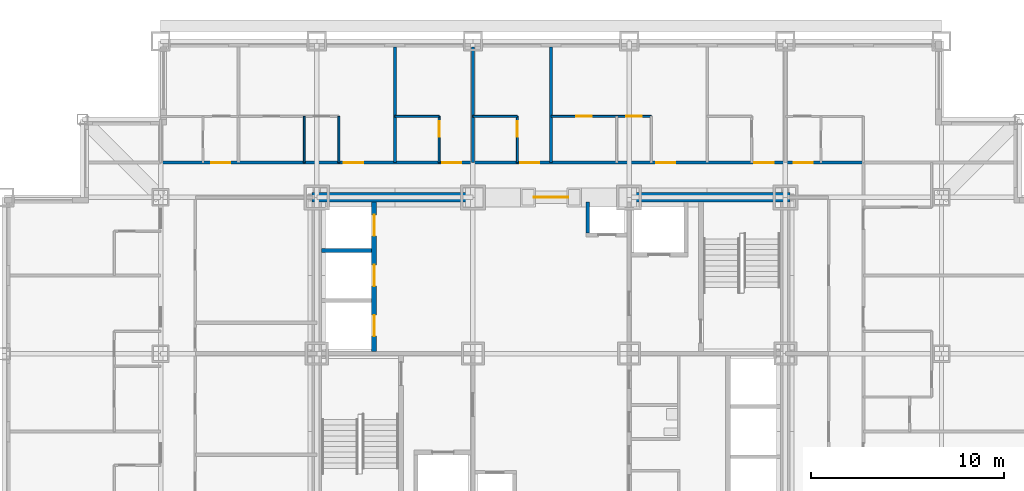
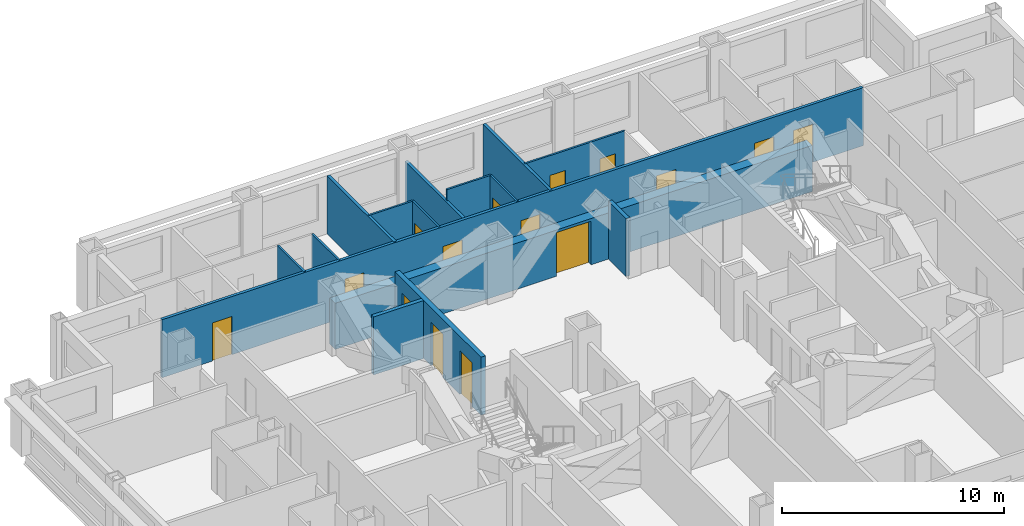
# One storey, part 9 of 13: 15 doors, 15 walls, 15 openings.
"""IFC4 building model written with IfcOpenShell, lengths in metres."""

from ifc_helpers import new_model, si_unit, direction, frame, frame_2d, origin, place, context, subcontext, project, spatial, rectangle, extrude, material, layer, layer_set, type_object, element, fill, save


model = new_model("IFC4")

# Units and contexts
model_context = context("Model", 3, precision=1e-05, world=origin(), true_north=direction((0.0, 1.0)))
body_context = subcontext(model_context, "Body", "Model", "MODEL_VIEW")
ifc_project = project(units=[si_unit("LENGTHUNIT", "METRE"), si_unit("AREAUNIT", "SQUARE_METRE"), si_unit("VOLUMEUNIT", "CUBIC_METRE"), si_unit("PLANEANGLEUNIT", "RADIAN"), si_unit("MASSUNIT", "GRAM", prefix="KILO")], contexts=[model_context])

# Site, building, storey
site_placement = place(None, origin())
site = spatial("IfcSite", under=ifc_project, at=site_placement, CompositionType="ELEMENT")
building_placement = place(site_placement, origin())
building = spatial("IfcBuilding", under=site, at=building_placement, Name="Kopane Lantern Tower", CompositionType="ELEMENT")
storey_placement = place(building_placement, frame((0.0, 0.0, 67.0)))
storey = spatial("IfcBuildingStorey", under=building, at=storey_placement, Name="L16", CompositionType="ELEMENT", Elevation=67.0)

# Walls
ifc_material_1 = material(Name="Moisture-resistant board on steel studs", Category="steel")
ifc_layer_1 = layer(ifc_material_1, 0.10009765625)
ifc_layer_set_1 = layer_set([ifc_layer_1], Name="BATHROOM WALL 100")
wall_type_1 = type_object("IfcWallType", Name="BATHROOM WALL 100", PredefinedType="PARTITIONING", material=ifc_layer_set_1)
for number, where, z_axis, x_axis, name in (
    (1, (15.550048828125, 42.300048828125, 0.0), (0.0, 0.0, 1.0), (0.0, 1.0, 0.0), "Bathroom Wall 100 L16"),
    (2, (17.35009765625, 42.300048828125, 0.0), (0.0, 0.0, 1.0), (0.0, 1.0, 0.0), "Bathroom Wall 100 L16"),
):
    element("IfcWall", number, at=place(storey_placement, frame(where, z_axis=z_axis, x_axis=x_axis)), inside=storey, type_object=wall_type_1, Name=name, PredefinedType="PARTITIONING", context=body_context, shape_type="SweptSolid", body=[
        extrude(rectangle(XDim=2.39990234375, YDim=0.10009765625, at=frame_2d((1.199951171875, 0.0))), origin(), (0.0, 0.0, 1.0), 3.18994140625),
    ])
wall_1_placement = place(storey_placement, frame((20.25, 44.699951171875, 0.0), z_axis=(0.0, 0.0, 1.0), x_axis=(1.0, 0.0, 0.0)))
element("IfcWall", 3, at=wall_1_placement, inside=storey, type_object=wall_type_1, Name="Bathroom Wall 100 L16", PredefinedType="PARTITIONING", context=body_context, shape_type="SweptSolid", body=[
    extrude(rectangle(XDim=2.300048828125, YDim=0.10009765625, at=frame_2d((1.14990234375, 0.0))), origin(), (0.0, 0.0, 1.0), 3.18994140625),
])

# Wall, opening, door
wall_2_placement = place(storey_placement, frame((22.550048828125, 42.300048828125, 0.0), z_axis=(0.0, 0.0, 1.0), x_axis=(0.0, 1.0, 0.0)))
wall_2 = element("IfcWall", 4, at=wall_2_placement, inside=storey, type_object=wall_type_1, Name="Bathroom Wall 100 L16", PredefinedType="PARTITIONING", context=body_context, shape_type="SweptSolid", body=[
    extrude(rectangle(XDim=2.39990234375, YDim=0.10009765625, at=frame_2d((1.199951171875, 0.0))), origin(), (0.0, 0.0, 1.0), 3.18994140625),
])
opening_1_placement = place(wall_2_placement, frame((1.35009765625, 0.0, 0.0)))
opening_1 = element("IfcOpeningElement", 5, at=opening_1_placement, cuts=wall_2, Name="Opening L16-032", PredefinedType="OPENING", context=body_context, shape_type="SweptSolid", body=[
    extrude(rectangle(XDim=0.800048828125, YDim=2.10009765625, at=frame_2d((0.39990234375, 1.050048828125))), frame((0.0, 0.06005859375, 0.0), z_axis=(0.0, -1.0, 0.0), x_axis=(1.0, 0.0, 0.0)), (0.0, 0.0, 1.0), 0.1201171875),
])
ifc_material_2 = material(Name="Timber door set", Category="wood")
door_type_1 = type_object("IfcDoorType", Name="DOOR D2 800x2100", OperationType="SINGLE_SWING_LEFT", PredefinedType="DOOR", material=ifc_material_2)
door_1_placement = place(opening_1_placement, origin())
door_1 = element("IfcDoor", 6, at=door_1_placement, inside=storey, type_object=door_type_1, Name="Door L16-032", OperationType="SINGLE_SWING_RIGHT", OverallHeight=2.10009765625, OverallWidth=0.800048828125, PredefinedType="DOOR", context=body_context, shape_type="SweptSolid", body=[
    extrude(rectangle(XDim=0.800048828125, YDim=2.10009765625, at=frame_2d((0.39990234375, 1.050048828125))), frame((0.0, 0.02490234375, 0.0), z_axis=(0.0, -1.0, 0.0), x_axis=(1.0, 0.0, 0.0)), (0.0, 0.0, 1.0), 0.050048828125),
])
fill(opening_1, door_1)

# Wall
wall_3_placement = place(storey_placement, frame((24.300048828125, 44.699951171875, 0.0), z_axis=(0.0, 0.0, 1.0), x_axis=(1.0, 0.0, 0.0)))
element("IfcWall", 7, at=wall_3_placement, inside=storey, type_object=wall_type_1, Name="Bathroom Wall 100 L16", PredefinedType="PARTITIONING", context=body_context, shape_type="SweptSolid", body=[
    extrude(rectangle(XDim=2.300048828125, YDim=0.10009765625, at=frame_2d((1.14990234375, 0.0))), origin(), (0.0, 0.0, 1.0), 3.18994140625),
])

# Wall, opening, door
wall_4_placement = place(storey_placement, frame((26.60009765625, 42.300048828125, 0.0), z_axis=(0.0, 0.0, 1.0), x_axis=(0.0, 1.0, 0.0)))
wall_4 = element("IfcWall", 8, at=wall_4_placement, inside=storey, type_object=wall_type_1, Name="Bathroom Wall 100 L16", PredefinedType="PARTITIONING", context=body_context, shape_type="SweptSolid", body=[
    extrude(rectangle(XDim=2.39990234375, YDim=0.10009765625, at=frame_2d((1.199951171875, 0.0))), origin(), (0.0, 0.0, 1.0), 3.18994140625),
])
opening_2_placement = place(wall_4_placement, frame((1.35009765625, 0.0, 0.0)))
opening_2 = element("IfcOpeningElement", 9, at=opening_2_placement, cuts=wall_4, Name="Opening L16-034", PredefinedType="OPENING", context=body_context, shape_type="SweptSolid", body=[
    extrude(rectangle(XDim=0.800048828125, YDim=2.10009765625, at=frame_2d((0.39990234375, 1.050048828125))), frame((0.0, 0.06005859375, 0.0), z_axis=(0.0, -1.0, 0.0), x_axis=(1.0, 0.0, 0.0)), (0.0, 0.0, 1.0), 0.1201171875),
])
door_2_placement = place(opening_2_placement, origin())
door_2 = element("IfcDoor", 10, at=door_2_placement, inside=storey, type_object=door_type_1, Name="Door L16-034", OperationType="SINGLE_SWING_RIGHT", OverallHeight=2.10009765625, OverallWidth=0.800048828125, PredefinedType="DOOR", context=body_context, shape_type="SweptSolid", body=[
    extrude(rectangle(XDim=0.800048828125, YDim=2.10009765625, at=frame_2d((0.39990234375, 1.050048828125))), frame((0.0, 0.02490234375, 0.0), z_axis=(0.0, -1.0, 0.0), x_axis=(1.0, 0.0, 0.0)), (0.0, 0.0, 1.0), 0.050048828125),
])
fill(opening_2, door_2)

# Wall, openings, doors
wall_5_placement = place(storey_placement, frame((28.35009765625, 44.699951171875, 0.0), z_axis=(0.0, 0.0, 1.0), x_axis=(1.0, 0.0, 0.0)))
wall_5 = element("IfcWall", 11, at=wall_5_placement, inside=storey, type_object=wall_type_1, Name="Bathroom Wall 100 L16", PredefinedType="PARTITIONING", context=body_context, shape_type="SweptSolid", body=[
    extrude(rectangle(XDim=5.199951171875, YDim=0.10009765625, at=frame_2d((2.60009765625, 0.0))), origin(), (0.0, 0.0, 1.0), 3.18994140625),
])
opening_3_placement = place(wall_5_placement, frame((1.300048828125, 0.0, 0.0)))
opening_3 = element("IfcOpeningElement", 12, at=opening_3_placement, cuts=wall_5, Name="Opening L16-036", PredefinedType="OPENING", context=body_context, shape_type="SweptSolid", body=[
    extrude(rectangle(XDim=0.800048828125, YDim=2.10009765625, at=frame_2d((0.39990234375, 1.050048828125))), frame((0.0, 0.06005859375, 0.0), z_axis=(0.0, -1.0, 0.0), x_axis=(1.0, 0.0, 0.0)), (0.0, 0.0, 1.0), 0.1201171875),
])
opening_4_placement = place(wall_5_placement, frame((3.89990234375, 0.0, 0.0)))
opening_4 = element("IfcOpeningElement", 13, at=opening_4_placement, cuts=wall_5, Name="Opening L16-037", PredefinedType="OPENING", context=body_context, shape_type="SweptSolid", body=[
    extrude(rectangle(XDim=0.800048828125, YDim=2.10009765625, at=frame_2d((0.39990234375, 1.050048828125))), frame((0.0, 0.06005859375, 0.0), z_axis=(0.0, -1.0, 0.0), x_axis=(1.0, 0.0, 0.0)), (0.0, 0.0, 1.0), 0.1201171875),
])
door_3_placement = place(opening_3_placement, origin())
door_3 = element("IfcDoor", 14, at=door_3_placement, inside=storey, type_object=door_type_1, Name="Door L16-036", OperationType="SINGLE_SWING_LEFT", OverallHeight=2.10009765625, OverallWidth=0.800048828125, PredefinedType="DOOR", context=body_context, shape_type="SweptSolid", body=[
    extrude(rectangle(XDim=0.800048828125, YDim=2.10009765625, at=frame_2d((0.39990234375, 1.050048828125))), frame((0.0, 0.02490234375, 0.0), z_axis=(0.0, -1.0, 0.0), x_axis=(1.0, 0.0, 0.0)), (0.0, 0.0, 1.0), 0.050048828125),
])
fill(opening_3, door_3)
door_4_placement = place(opening_4_placement, origin())
door_4 = element("IfcDoor", 15, at=door_4_placement, inside=storey, type_object=door_type_1, Name="Door L16-037", OperationType="SINGLE_SWING_LEFT", OverallHeight=2.10009765625, OverallWidth=0.800048828125, PredefinedType="DOOR", context=body_context, shape_type="SweptSolid", body=[
    extrude(rectangle(XDim=0.800048828125, YDim=2.10009765625, at=frame_2d((0.39990234375, 1.050048828125))), frame((0.0, 0.02490234375, 0.0), z_axis=(0.0, -1.0, 0.0), x_axis=(1.0, 0.0, 0.0)), (0.0, 0.0, 1.0), 0.050048828125),
])
fill(opening_4, door_4)

# Wall, opening, door
ifc_material_3 = material(Name="Gypsum shaft wall EI 120", Category="gypsum")
ifc_layer_2 = layer(ifc_material_3, 0.5)
ifc_layer_set_2 = layer_set([ifc_layer_2], Name="CORE PERIMETER WALL 500 EI 120")
wall_type_2 = type_object("IfcWallType", Name="CORE PERIMETER WALL 500 EI 120", PredefinedType="SOLIDWALL", material=ifc_layer_set_2)
wall_6_placement = place(storey_placement, frame((15.949951171875, 40.5, 0.0), z_axis=(0.0, 0.0, 1.0), x_axis=(1.0, 0.0, 0.0)))
wall_6 = element("IfcWall", 16, at=wall_6_placement, inside=storey, type_object=wall_type_2, Name="Core shaft wall L16 PN", PredefinedType="SOLIDWALL", context=body_context, shape_type="SweptSolid", body=[
    extrude(rectangle(XDim=24.800048828125, YDim=0.5, at=frame_2d((12.39990234375, 0.0))), origin(), (0.0, 0.0, 1.0), 2.5400390625),
])
opening_5_placement = place(wall_6_placement, frame((11.5, 0.0, 0.0)))
opening_5 = element("IfcOpeningElement", 17, at=opening_5_placement, cuts=wall_6, Name="Opening 16.CE-N", PredefinedType="OPENING", context=body_context, shape_type="SweptSolid", body=[
    extrude(rectangle(XDim=1.800048828125, YDim=2.39990234375, at=frame_2d((0.89990234375, 1.199951171875))), frame((0.0, 0.260009765625, 0.0), z_axis=(0.0, -1.0, 0.0), x_axis=(1.0, 0.0, 0.0)), (0.0, 0.0, 1.0), 0.52001953125),
])
ifc_material_4 = material(Name="Steel door set", Category="steel")
door_type_2 = type_object("IfcDoorType", Name="CORE ENTRY DOOR 1800x2400 FD60S", OperationType="DOUBLE_DOOR_SINGLE_SWING", PredefinedType="DOOR", material=ifc_material_4)
door_5_placement = place(opening_5_placement, origin())
door_5 = element("IfcDoor", 18, at=door_5_placement, inside=storey, type_object=door_type_2, Name="Core entry door L16 north", OperationType="DOUBLE_DOOR_SINGLE_SWING", OverallHeight=2.39990234375, OverallWidth=1.800048828125, PredefinedType="DOOR", context=body_context, shape_type="SweptSolid", body=[
    extrude(rectangle(XDim=1.800048828125, YDim=2.39990234375, at=frame_2d((0.89990234375, 1.199951171875))), frame((0.0, 0.02490234375, 0.0), z_axis=(0.0, -1.0, 0.0), x_axis=(1.0, 0.0, 0.0)), (0.0, 0.0, 1.0), 0.050048828125),
])
fill(opening_5, door_5)

# Wall, openings, doors
ifc_material_5 = material(Name="Gypsum shaft wall EI 120", Category="gypsum")
ifc_layer_3 = layer(ifc_material_5, 0.25)
ifc_layer_set_3 = layer_set([ifc_layer_3], Name="CORE SHAFT WALL 250 EI 120")
wall_type_3 = type_object("IfcWallType", Name="CORE SHAFT WALL 250 EI 120", PredefinedType="SOLIDWALL", material=ifc_layer_set_3)
wall_7_placement = place(storey_placement, frame((19.175048828125, 32.5, 0.0), z_axis=(0.0, 0.0, 1.0), x_axis=(0.0, 1.0, 0.0)))
wall_7 = element("IfcWall", 19, at=wall_7_placement, inside=storey, type_object=wall_type_3, Name="Core shaft wall L16 XLH", PredefinedType="SOLIDWALL", context=body_context, shape_type="SweptSolid", body=[
    extrude(rectangle(XDim=7.75, YDim=0.25, at=frame_2d((3.875, 0.0))), origin(), (0.0, 0.0, 1.0), 3.18994140625),
])
opening_6_placement = place(wall_7_placement, frame((0.800048828125, 0.0, 0.0)))
opening_6 = element("IfcOpeningElement", 20, at=opening_6_placement, cuts=wall_7, Name="Opening 16.LD-LH1", PredefinedType="OPENING", context=body_context, shape_type="SweptSolid", body=[
    extrude(rectangle(XDim=1.10009765625, YDim=2.39990234375, at=frame_2d((0.550048828125, 1.199951171875))), frame((0.0, 0.135009765625, 0.0), z_axis=(0.0, -1.0, 0.0), x_axis=(1.0, 0.0, 0.0)), (0.0, 0.0, 1.0), 0.27001953125),
])
opening_7_placement = place(wall_7_placement, frame((3.39990234375, 0.0, 0.0)))
opening_7 = element("IfcOpeningElement", 21, at=opening_7_placement, cuts=wall_7, Name="Opening 16.LD-LH2", PredefinedType="OPENING", context=body_context, shape_type="SweptSolid", body=[
    extrude(rectangle(XDim=1.10009765625, YDim=2.39990234375, at=frame_2d((0.550048828125, 1.199951171875))), frame((0.0, 0.135009765625, 0.0), z_axis=(0.0, -1.0, 0.0), x_axis=(1.0, 0.0, 0.0)), (0.0, 0.0, 1.0), 0.27001953125),
])
opening_8_placement = place(wall_7_placement, frame((6.0, 0.0, 0.0)))
opening_8 = element("IfcOpeningElement", 22, at=opening_8_placement, cuts=wall_7, Name="Opening 16.LD-LH3", PredefinedType="OPENING", context=body_context, shape_type="SweptSolid", body=[
    extrude(rectangle(XDim=1.10009765625, YDim=2.39990234375, at=frame_2d((0.550048828125, 1.199951171875))), frame((0.0, 0.135009765625, 0.0), z_axis=(0.0, -1.0, 0.0), x_axis=(1.0, 0.0, 0.0)), (0.0, 0.0, 1.0), 0.27001953125),
])
ifc_material_6 = material(Name="Steel door set", Category="steel")
door_type_3 = type_object("IfcDoorType", Name="LIFT LANDING DOOR 1100x2400 FD60", OperationType="DOUBLE_DOOR_SLIDING", PredefinedType="DOOR", material=ifc_material_6)
door_6_placement = place(opening_6_placement, origin())
door_6 = element("IfcDoor", 23, at=door_6_placement, inside=storey, type_object=door_type_3, Name="Landing door LH1 L16", OperationType="DOUBLE_DOOR_SLIDING", OverallHeight=2.39990234375, OverallWidth=1.10009765625, PredefinedType="DOOR", context=body_context, shape_type="SweptSolid", body=[
    extrude(rectangle(XDim=1.10009765625, YDim=2.39990234375, at=frame_2d((0.550048828125, 1.199951171875))), frame((0.0, 0.02490234375, 0.0), z_axis=(0.0, -1.0, 0.0), x_axis=(1.0, 0.0, 0.0)), (0.0, 0.0, 1.0), 0.050048828125),
])
fill(opening_6, door_6)
door_7_placement = place(opening_7_placement, origin())
door_7 = element("IfcDoor", 24, at=door_7_placement, inside=storey, type_object=door_type_3, Name="Landing door LH2 L16", OperationType="DOUBLE_DOOR_SLIDING", OverallHeight=2.39990234375, OverallWidth=1.10009765625, PredefinedType="DOOR", context=body_context, shape_type="SweptSolid", body=[
    extrude(rectangle(XDim=1.10009765625, YDim=2.39990234375, at=frame_2d((0.550048828125, 1.199951171875))), frame((0.0, 0.02490234375, 0.0), z_axis=(0.0, -1.0, 0.0), x_axis=(1.0, 0.0, 0.0)), (0.0, 0.0, 1.0), 0.050048828125),
])
fill(opening_7, door_7)
door_8_placement = place(opening_8_placement, origin())
door_8 = element("IfcDoor", 25, at=door_8_placement, inside=storey, type_object=door_type_3, Name="Landing door LH3 L16", OperationType="DOUBLE_DOOR_SLIDING", OverallHeight=2.39990234375, OverallWidth=1.10009765625, PredefinedType="DOOR", context=body_context, shape_type="SweptSolid", body=[
    extrude(rectangle(XDim=1.10009765625, YDim=2.39990234375, at=frame_2d((0.550048828125, 1.199951171875))), frame((0.0, 0.02490234375, 0.0), z_axis=(0.0, -1.0, 0.0), x_axis=(1.0, 0.0, 0.0)), (0.0, 0.0, 1.0), 0.050048828125),
])
fill(opening_8, door_8)

ifc_material_7 = material(Name="Gypsum board on steel studs", Category="steel")
ifc_layer_4 = layer(ifc_material_7, 0.14990234375)
ifc_layer_set_4 = layer_set([ifc_layer_4], Name="CORRIDOR WALL 150 EI 60")
wall_type_4 = type_object("IfcWallType", Name="CORRIDOR WALL 150 EI 60", PredefinedType="PARTITIONING", material=ifc_layer_set_4)
wall_8_placement = place(storey_placement, frame((8.10009765625, 42.300048828125, 0.0), z_axis=(0.0, 0.0, 1.0), x_axis=(1.0, 0.0, 0.0)))
wall_8 = element("IfcWall", 26, at=wall_8_placement, inside=storey, type_object=wall_type_4, Name="Corridor Wall 150 Ei 60 L16", PredefinedType="PARTITIONING", context=body_context, shape_type="SweptSolid", body=[
    extrude(rectangle(XDim=36.449951171875, YDim=0.14990234375, at=frame_2d((18.22509765625, 0.0))), origin(), (0.0, 0.0, 1.0), 3.18994140625),
])
opening_9_placement = place(wall_8_placement, frame((9.5, 0.0, 0.0)))
opening_9 = element("IfcOpeningElement", 27, at=opening_9_placement, cuts=wall_8, Name="Opening L16-031", PredefinedType="OPENING", context=body_context, shape_type="SweptSolid", body=[
    extrude(rectangle(XDim=1.0, YDim=2.10009765625, at=frame_2d((0.5, 1.050048828125))), frame((0.0, 0.0849609375, 0.0), z_axis=(0.0, -1.0, 0.0), x_axis=(1.0, 0.0, 0.0)), (0.0, 0.0, 1.0), 0.169921875),
])
opening_10_placement = place(wall_8_placement, frame((14.60009765625, 0.0, 0.0)))
opening_10 = element("IfcOpeningElement", 28, at=opening_10_placement, cuts=wall_8, Name="Opening L16-033", PredefinedType="OPENING", context=body_context, shape_type="SweptSolid", body=[
    extrude(rectangle(XDim=1.0, YDim=2.10009765625, at=frame_2d((0.5, 1.050048828125))), frame((0.0, 0.0849609375, 0.0), z_axis=(0.0, -1.0, 0.0), x_axis=(1.0, 0.0, 0.0)), (0.0, 0.0, 1.0), 0.169921875),
])
opening_11_placement = place(wall_8_placement, frame((18.64990234375, 0.0, 0.0)))
opening_11 = element("IfcOpeningElement", 29, at=opening_11_placement, cuts=wall_8, Name="Opening L16-035", PredefinedType="OPENING", context=body_context, shape_type="SweptSolid", body=[
    extrude(rectangle(XDim=1.0, YDim=2.10009765625, at=frame_2d((0.5, 1.050048828125))), frame((0.0, 0.0849609375, 0.0), z_axis=(0.0, -1.0, 0.0), x_axis=(1.0, 0.0, 0.0)), (0.0, 0.0, 1.0), 0.169921875),
])
opening_12_placement = place(wall_8_placement, frame((25.699951171875, 0.0, 0.0)))
opening_12 = element("IfcOpeningElement", 30, at=opening_12_placement, cuts=wall_8, Name="Opening L16-038", PredefinedType="OPENING", context=body_context, shape_type="SweptSolid", body=[
    extrude(rectangle(XDim=1.0, YDim=2.10009765625, at=frame_2d((0.5, 1.050048828125))), frame((0.0, 0.0849609375, 0.0), z_axis=(0.0, -1.0, 0.0), x_axis=(1.0, 0.0, 0.0)), (0.0, 0.0, 1.0), 0.169921875),
])
opening_13_placement = place(wall_8_placement, frame((30.800048828125, 0.0, 0.0)))
opening_13 = element("IfcOpeningElement", 31, at=opening_13_placement, cuts=wall_8, Name="Opening L16-040", PredefinedType="OPENING", context=body_context, shape_type="SweptSolid", body=[
    extrude(rectangle(XDim=1.0, YDim=2.10009765625, at=frame_2d((0.5, 1.050048828125))), frame((0.0, 0.0849609375, 0.0), z_axis=(0.0, -1.0, 0.0), x_axis=(1.0, 0.0, 0.0)), (0.0, 0.0, 1.0), 0.169921875),
])
opening_14_placement = place(wall_8_placement, frame((32.824951171875, 0.0, 0.0)))
opening_14 = element("IfcOpeningElement", 32, at=opening_14_placement, cuts=wall_8, Name="Opening L16-078", PredefinedType="OPENING", context=body_context, shape_type="SweptSolid", body=[
    extrude(rectangle(XDim=1.0, YDim=2.10009765625, at=frame_2d((0.5, 1.050048828125))), frame((0.0, 0.0849609375, 0.0), z_axis=(0.0, -1.0, 0.0), x_axis=(1.0, 0.0, 0.0)), (0.0, 0.0, 1.0), 0.169921875),
])
opening_15_placement = place(wall_8_placement, frame((2.625, 0.0, 0.0)))
opening_15 = element("IfcOpeningElement", 33, at=opening_15_placement, cuts=wall_8, Name="Opening L16-081", PredefinedType="OPENING", context=body_context, shape_type="SweptSolid", body=[
    extrude(rectangle(XDim=1.0, YDim=2.10009765625, at=frame_2d((0.5, 1.050048828125))), frame((0.0, 0.0849609375, 0.0), z_axis=(0.0, -1.0, 0.0), x_axis=(1.0, 0.0, 0.0)), (0.0, 0.0, 1.0), 0.169921875),
])
ifc_material_8 = material(Name="Steel door set", Category="steel")
door_type_4 = type_object("IfcDoorType", Name="DOOR D1 1000x2100 FD30S", OperationType="SINGLE_SWING_LEFT", PredefinedType="DOOR", material=ifc_material_8)
door_9_placement = place(opening_9_placement, origin())
door_9 = element("IfcDoor", 34, at=door_9_placement, inside=storey, type_object=door_type_4, Name="Door L16-031", OperationType="SINGLE_SWING_LEFT", OverallHeight=2.10009765625, OverallWidth=1.0, PredefinedType="DOOR", context=body_context, shape_type="SweptSolid", body=[
    extrude(rectangle(XDim=1.0, YDim=2.10009765625, at=frame_2d((0.5, 1.050048828125))), frame((0.0, 0.02490234375, 0.0), z_axis=(0.0, -1.0, 0.0), x_axis=(1.0, 0.0, 0.0)), (0.0, 0.0, 1.0), 0.050048828125),
])
fill(opening_9, door_9)
door_10_placement = place(opening_10_placement, origin())
door_10 = element("IfcDoor", 35, at=door_10_placement, inside=storey, type_object=door_type_4, Name="Door L16-033", OperationType="SINGLE_SWING_LEFT", OverallHeight=2.10009765625, OverallWidth=1.0, PredefinedType="DOOR", context=body_context, shape_type="SweptSolid", body=[
    extrude(rectangle(XDim=1.0, YDim=2.10009765625, at=frame_2d((0.5, 1.050048828125))), frame((0.0, 0.02490234375, 0.0), z_axis=(0.0, -1.0, 0.0), x_axis=(1.0, 0.0, 0.0)), (0.0, 0.0, 1.0), 0.050048828125),
])
fill(opening_10, door_10)
door_11_placement = place(opening_11_placement, origin())
door_11 = element("IfcDoor", 36, at=door_11_placement, inside=storey, type_object=door_type_4, Name="Door L16-035", OperationType="SINGLE_SWING_LEFT", OverallHeight=2.10009765625, OverallWidth=1.0, PredefinedType="DOOR", context=body_context, shape_type="SweptSolid", body=[
    extrude(rectangle(XDim=1.0, YDim=2.10009765625, at=frame_2d((0.5, 1.050048828125))), frame((0.0, 0.02490234375, 0.0), z_axis=(0.0, -1.0, 0.0), x_axis=(1.0, 0.0, 0.0)), (0.0, 0.0, 1.0), 0.050048828125),
])
fill(opening_11, door_11)
door_12_placement = place(opening_12_placement, origin())
door_12 = element("IfcDoor", 37, at=door_12_placement, inside=storey, type_object=door_type_4, Name="Door L16-038", OperationType="SINGLE_SWING_LEFT", OverallHeight=2.10009765625, OverallWidth=1.0, PredefinedType="DOOR", context=body_context, shape_type="SweptSolid", body=[
    extrude(rectangle(XDim=1.0, YDim=2.10009765625, at=frame_2d((0.5, 1.050048828125))), frame((0.0, 0.02490234375, 0.0), z_axis=(0.0, -1.0, 0.0), x_axis=(1.0, 0.0, 0.0)), (0.0, 0.0, 1.0), 0.050048828125),
])
fill(opening_12, door_12)
door_13_placement = place(opening_13_placement, origin())
door_13 = element("IfcDoor", 38, at=door_13_placement, inside=storey, type_object=door_type_4, Name="Door L16-040", OperationType="SINGLE_SWING_LEFT", OverallHeight=2.10009765625, OverallWidth=1.0, PredefinedType="DOOR", context=body_context, shape_type="SweptSolid", body=[
    extrude(rectangle(XDim=1.0, YDim=2.10009765625, at=frame_2d((0.5, 1.050048828125))), frame((0.0, 0.02490234375, 0.0), z_axis=(0.0, -1.0, 0.0), x_axis=(1.0, 0.0, 0.0)), (0.0, 0.0, 1.0), 0.050048828125),
])
fill(opening_13, door_13)
door_14_placement = place(opening_14_placement, origin())
door_14 = element("IfcDoor", 39, at=door_14_placement, inside=storey, type_object=door_type_4, Name="Door L16-078", OperationType="SINGLE_SWING_LEFT", OverallHeight=2.10009765625, OverallWidth=1.0, PredefinedType="DOOR", context=body_context, shape_type="SweptSolid", body=[
    extrude(rectangle(XDim=1.0, YDim=2.10009765625, at=frame_2d((0.5, 1.050048828125))), frame((0.0, 0.02490234375, 0.0), z_axis=(0.0, -1.0, 0.0), x_axis=(1.0, 0.0, 0.0)), (0.0, 0.0, 1.0), 0.050048828125),
])
fill(opening_14, door_14)
door_15_placement = place(opening_15_placement, origin())
door_15 = element("IfcDoor", 40, at=door_15_placement, inside=storey, type_object=door_type_4, Name="Door L16-081", OperationType="SINGLE_SWING_LEFT", OverallHeight=2.10009765625, OverallWidth=1.0, PredefinedType="DOOR", context=body_context, shape_type="SweptSolid", body=[
    extrude(rectangle(XDim=1.0, YDim=2.10009765625, at=frame_2d((0.5, 1.050048828125))), frame((0.0, 0.02490234375, 0.0), z_axis=(0.0, -1.0, 0.0), x_axis=(1.0, 0.0, 0.0)), (0.0, 0.0, 1.0), 0.050048828125),
])
fill(opening_15, door_15)

# Walls
ifc_material_9 = material(Name="Gypsum board on steel studs", Category="steel")
ifc_layer_5 = layer(ifc_material_9, 0.14990234375)
ifc_layer_set_5 = layer_set([ifc_layer_5], Name="DEMISING WALL 150 EI 60")
wall_type_5 = type_object("IfcWallType", Name="DEMISING WALL 150 EI 60", PredefinedType="PARTITIONING", material=ifc_layer_set_5)
wall_9_placement = place(storey_placement, frame((20.25, 42.300048828125, 0.0), z_axis=(0.0, 0.0, 1.0), x_axis=(0.0, 1.0, 0.0)))
element("IfcWall", 41, at=wall_9_placement, inside=storey, type_object=wall_type_5, Name="Demising Wall 150 Ei 60 L16", PredefinedType="PARTITIONING", context=body_context, shape_type="SweptSolid", body=[
    extrude(rectangle(XDim=6.0, YDim=0.14990234375, at=frame_2d((3.0, 0.0))), origin(), (0.0, 0.0, 1.0), 3.18994140625),
])
wall_10_placement = place(storey_placement, frame((24.300048828125, 42.300048828125, 0.0), z_axis=(0.0, 0.0, 1.0), x_axis=(0.0, 1.0, 0.0)))
element("IfcWall", 42, at=wall_10_placement, inside=storey, type_object=wall_type_5, Name="Demising Wall 150 Ei 60 L16", PredefinedType="PARTITIONING", context=body_context, shape_type="SweptSolid", body=[
    extrude(rectangle(XDim=6.0, YDim=0.14990234375, at=frame_2d((3.0, 0.0))), origin(), (0.0, 0.0, 1.0), 2.577880859375),
])
wall_11_placement = place(storey_placement, frame((28.35009765625, 42.300048828125, 0.0), z_axis=(0.0, 0.0, 1.0), x_axis=(0.0, 1.0, 0.0)))
element("IfcWall", 43, at=wall_11_placement, inside=storey, type_object=wall_type_5, Name="Demising Wall 150 Ei 60 L16", PredefinedType="PARTITIONING", context=body_context, shape_type="SweptSolid", body=[
    extrude(rectangle(XDim=6.0, YDim=0.14990234375, at=frame_2d((3.0, 0.0))), origin(), (0.0, 0.0, 1.0), 3.18994140625),
])
ifc_material_10 = material(Name="Gypsum shaft wall EI 120", Category="gypsum")
ifc_layer_6 = layer(ifc_material_10, 0.199951171875)
ifc_layer_set_6 = layer_set([ifc_layer_6], Name="SHAFT WALL 200 EI 120")
wall_type_6 = type_object("IfcWallType", Name="SHAFT WALL 200 EI 120", PredefinedType="SOLIDWALL", material=ifc_layer_set_6)
wall_12_placement = place(storey_placement, frame((16.449951171875, 37.75, 0.0), z_axis=(0.0, 0.0, 1.0), x_axis=(1.0, 0.0, 0.0)))
element("IfcWall", 44, at=wall_12_placement, inside=storey, type_object=wall_type_6, Name="Core shaft wall L16 YLH23", PredefinedType="SOLIDWALL", context=body_context, shape_type="SweptSolid", body=[
    extrude(rectangle(XDim=2.60009765625, YDim=0.199951171875, at=frame_2d((1.300048828125, 0.0))), origin(), (0.0, 0.0, 1.0), 3.18994140625),
])
wall_13_placement = place(storey_placement, frame((30.25, 38.64990234375, 0.0), z_axis=(0.0, 0.0, 1.0), x_axis=(0.0, 1.0, 0.0)))
element("IfcWall", 45, at=wall_13_placement, inside=storey, type_object=wall_type_6, Name="Core shaft wall L16 XRS2", PredefinedType="SOLIDWALL", context=body_context, shape_type="SweptSolid", body=[
    extrude(rectangle(XDim=1.60009765625, YDim=0.199951171875, at=frame_2d((0.800048828125, 0.0))), origin(), (0.0, 0.0, 1.0), 3.18994140625),
])

save(model, "model.ifc")
